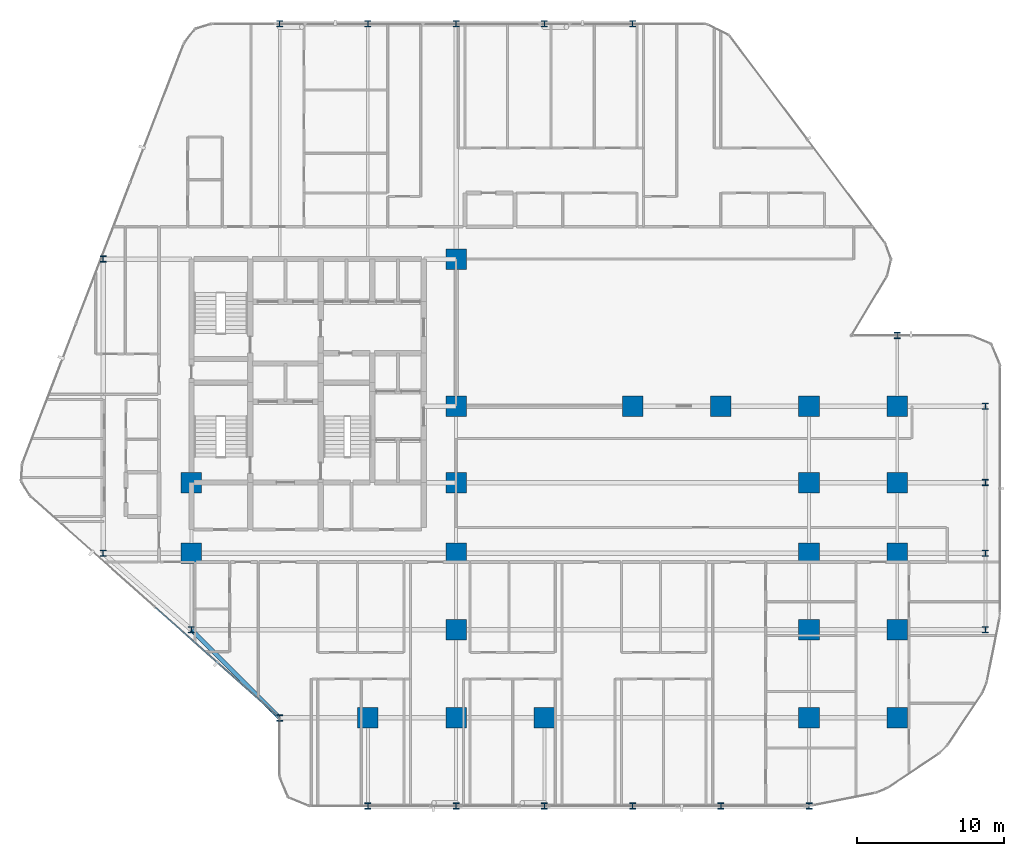
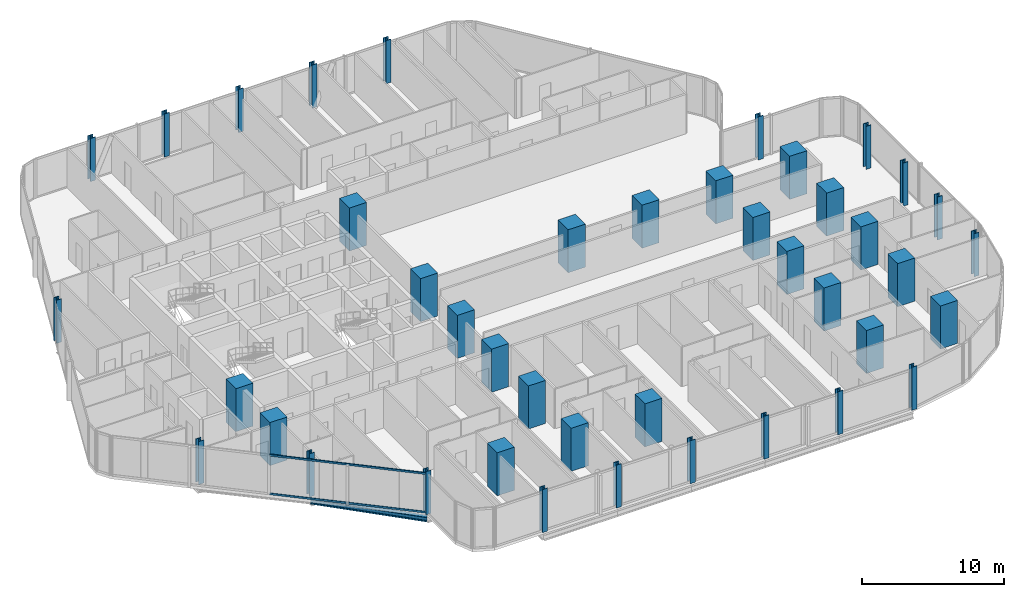
# One storey, part 1 of 34: 42 columns, 2 members, 1 beam, 1 element without a shape of its own.
"""IFC4 building model written with IfcOpenShell, lengths in metres."""

import ifcopenshell
import ifcopenshell.guid

model = None  # the IFC model being written
_history = None  # IfcOwnerHistory: only IFC2X3 demands one
_inside = {}  # id of a spatial element -> (the spatial element, [elements in it])
_under = {}  # id of a project, library or spatial element -> (it, [spatial elements below it])
_declared = {}  # id of a project -> (the project, [libraries it declares])
_typed = {}  # id of a type object -> (the type object, [elements of that type])
_made_of = {}  # id of a material, layer set ... -> (it, [elements and type objects made of it])


def new_model(schema):
    """Start an empty IFC model of exactly this schema.

    Asked for "IFC4X3", IfcOpenShell would pick the latest addendum, in which some entities
    have other attributes; the version numbers below select the first issue.
    IFC2X3 requires an IfcOwnerHistory on every rooted entity: one is made here for all.
    """
    global model, _history
    if schema == "IFC4X3":
        model = ifcopenshell.file(schema_version=(4, 3, 0, 0))
    else:
        model = ifcopenshell.file(schema=schema)
    _inside.clear()
    _under.clear()
    _declared.clear()
    _typed.clear()
    _made_of.clear()
    _history = None
    if model.schema == "IFC2X3":
        org = make("IfcOrganization", Name="unknown")
        user = make(
            "IfcPersonAndOrganization",
            ThePerson=make("IfcPerson", FamilyName="unknown"),
            TheOrganization=org,
        )
        app = make(
            "IfcApplication",
            ApplicationDeveloper=org,
            Version="unknown",
            ApplicationFullName="unknown",
            ApplicationIdentifier="unknown",
        )
        _history = make(
            "IfcOwnerHistory",
            OwningUser=user,
            OwningApplication=app,
            ChangeAction="ADDED",
            CreationDate=0,
        )
    return model


def make(cls, **values):
    """One entity of the class cls with the attributes given. An attribute that is None is left unset."""
    return model.create_entity(
        cls, **{name: value for name, value in values.items() if value is not None}
    )


def rooted(cls, **values):
    """An entity with a GlobalId (a new one), such as an element, a storey or a relation."""
    return make(cls, GlobalId=ifcopenshell.guid.new(), OwnerHistory=_history, **values)


def si_unit(unit_type, name, prefix=None):
    """IfcSIUnit, for example si_unit("LENGTHUNIT", "METRE", prefix="MILLI")."""
    return make("IfcSIUnit", UnitType=unit_type, Prefix=prefix, Name=name)


def assignment(units):
    """IfcUnitAssignment: the units of a project."""
    return None if units is None else make("IfcUnitAssignment", Units=units)


def point(xyz):
    """IfcCartesianPoint."""
    return None if xyz is None else make("IfcCartesianPoint", Coordinates=xyz)


def direction(xyz):
    """IfcDirection."""
    return None if xyz is None else make("IfcDirection", DirectionRatios=xyz)


def frame(location, z_axis=None, x_axis=None):
    """IfcAxis2Placement3D, a coordinate frame: its origin and axes. An axis left out is left unset."""
    return make(
        "IfcAxis2Placement3D",
        Location=point(location),
        Axis=direction(z_axis),
        RefDirection=direction(x_axis),
    )


def frame_2d(location, x_axis=None):
    """IfcAxis2Placement2D, a coordinate frame in the plane: its origin and x axis."""
    return make(
        "IfcAxis2Placement2D", Location=point(location), RefDirection=direction(x_axis)
    )


def origin():
    """The frame at (0, 0, 0) with its axes left unset."""
    return frame((0.0, 0.0, 0.0))


def origin_2d():
    """The frame at (0, 0) in the plane with its x axis left unset."""
    return frame_2d((0.0, 0.0))


def place(relative_to, where):
    """IfcLocalPlacement: puts the frame where relative to a parent placement (None: the world)."""
    return make(
        "IfcLocalPlacement", PlacementRelTo=relative_to, RelativePlacement=where
    )


def context(
    kind, dimensions, precision=None, world=None, true_north=None, identifier=None
):
    """IfcGeometricRepresentationContext, for example the 3D "Model" context."""
    return make(
        "IfcGeometricRepresentationContext",
        ContextIdentifier=identifier,
        ContextType=kind,
        CoordinateSpaceDimension=dimensions,
        Precision=precision,
        WorldCoordinateSystem=world,
        TrueNorth=true_north,
    )


def subcontext(parent, identifier, kind, view, scale=None):
    """IfcGeometricRepresentationSubContext, for example "Body" below "Model"."""
    return make(
        "IfcGeometricRepresentationSubContext",
        ContextIdentifier=identifier,
        ContextType=kind,
        ParentContext=parent,
        TargetScale=scale,
        TargetView=view,
    )


def project(units=None, contexts=None):
    """IfcProject with its units and contexts."""
    return rooted(
        "IfcProject",
        Name="project",
        RepresentationContexts=contexts,
        UnitsInContext=assignment(units),
    )


def spatial(cls, under=None, at=None, **own):
    """A site, building, storey or space (cls), placed at a placement, below another one or the project."""
    s = rooted(cls, ObjectPlacement=at, **own)
    if under is not None:
        _under.setdefault(under.id(), (under, []))[1].append(s)
    return s


def profile(cls, at=None, kind="AREA", **sizes):
    """A parametric profile (cls). Its sizes go by their IFC names, for example OverallWidth=200.0."""
    return make(cls, ProfileType=kind, Position=at, **sizes)


def rectangle(**sizes):
    """IfcRectangleProfileDef."""
    return profile("IfcRectangleProfileDef", **sizes)


def hollow_rectangle(**sizes):
    """IfcRectangleHollowProfileDef."""
    return profile("IfcRectangleHollowProfileDef", **sizes)


def i_section(**sizes):
    """IfcIShapeProfileDef."""
    return profile("IfcIShapeProfileDef", **sizes)


def extrude(swept, where, along, depth):
    """IfcExtrudedAreaSolid: the profile swept, set in the frame where, extruded along a direction by depth."""
    return make(
        "IfcExtrudedAreaSolid",
        SweptArea=swept,
        Position=where,
        ExtrudedDirection=direction(along),
        Depth=depth,
    )


def shape(context_of_items, identifier, shape_type, items):
    """IfcShapeRepresentation: the items that make up one representation, for example the "Body"."""
    return make(
        "IfcShapeRepresentation",
        ContextOfItems=context_of_items,
        RepresentationIdentifier=identifier,
        RepresentationType=shape_type,
        Items=items,
    )


def material(Name=None, Category=None):
    """IfcMaterial."""
    return make("IfcMaterial", Name=Name, Category=Category)


def layer(
    of_material, thickness, ventilated=None, Name=None, Category=None, Priority=None
):
    """IfcMaterialLayer: one layer of a wall or slab, of a material (None: an air gap)."""
    return make(
        "IfcMaterialLayer",
        Material=of_material,
        LayerThickness=thickness,
        IsVentilated=ventilated,
        Name=Name,
        Category=Category,
        Priority=Priority,
    )


def layer_set(layers, Name=None):
    """IfcMaterialLayerSet."""
    return make("IfcMaterialLayerSet", MaterialLayers=layers, LayerSetName=Name)


def material_profile(
    of_material, cross_section, Name=None, Category=None, Priority=None
):
    """IfcMaterialProfile: a cross section and its material."""
    return make(
        "IfcMaterialProfile",
        Name=Name,
        Material=of_material,
        Profile=cross_section,
        Priority=Priority,
        Category=Category,
    )


def profile_set(profiles, Name=None, composite=None):
    """IfcMaterialProfileSet."""
    return make(
        "IfcMaterialProfileSet",
        Name=Name,
        MaterialProfiles=profiles,
        CompositeProfile=composite,
    )


def made_of(thing, what):
    """Note that an element or type object is made of a material, layer set ...; save() writes the relation."""
    if what is not None:
        _made_of.setdefault(what.id(), (what, []))[1].append(thing)
    return thing


def type_object(cls, material=None, **own):
    """A type object (cls), such as IfcWallType, which elements share."""
    return made_of(rooted(cls, **own), material)


def element(
    cls,
    number,
    at=None,
    inside=None,
    cuts=None,
    type_object=None,
    material=None,
    context=None,
    identifier="Body",
    shape_type=None,
    held_by="IfcProductDefinitionShape",
    body=None,
    shapes=None,
    **own,
):
    """One element of the class cls, such as IfcWall. Its Tag is "e" and its number.

    at: its placement. inside: the storey or other place that contains it. cuts: it is an
    opening in that element (IfcRelVoidsElement). A single representation is given by context,
    identifier, shape_type and body (its items); several are given by shapes. held_by: the class
    of the entity that holds the representations. save() writes the other relations.
    """
    e = rooted(cls, Tag="e%d" % number, ObjectPlacement=at, **own)
    if body is not None:
        shapes = [shape(context, identifier, shape_type, body)]
    if shapes is not None:
        e.Representation = make(held_by, Representations=shapes)
    if inside is not None:
        _inside.setdefault(inside.id(), (inside, []))[1].append(e)
    if cuts is not None:
        rooted(
            "IfcRelVoidsElement", RelatingBuildingElement=cuts, RelatedOpeningElement=e
        )
    if type_object is not None:
        _typed.setdefault(type_object.id(), (type_object, []))[1].append(e)
    return made_of(e, material)


def aggregate(whole, parts):
    """IfcRelAggregates: a whole, such as a stair, and the parts it consists of."""
    return rooted("IfcRelAggregates", RelatingObject=whole, RelatedObjects=parts)


def save(model, path):
    """Write the relations noted so far, then the file.

    IfcRelAggregates (storeys below a building ...), IfcRelContainedInSpatialStructure (elements
    in a storey), IfcRelDefinesByType, IfcRelAssociatesMaterial and IfcRelDeclares: one each for
    every whole, place, type object, material and project.
    """
    for whole, parts in _under.values():
        aggregate(whole, parts)
    for where, things in _inside.values():
        rooted(
            "IfcRelContainedInSpatialStructure",
            RelatedElements=things,
            RelatingStructure=where,
        )
    for kind, things in _typed.values():
        rooted("IfcRelDefinesByType", RelatedObjects=things, RelatingType=kind)
    for what, things in _made_of.values():
        rooted("IfcRelAssociatesMaterial", RelatedObjects=things, RelatingMaterial=what)
    for by, libraries in _declared.values():
        rooted("IfcRelDeclares", RelatingContext=by, RelatedDefinitions=libraries)
    model.write(path)


model = new_model("IFC4")

# Units and contexts
model_context = context("Model", 3, precision=1e-05, world=origin(), true_north=direction((0.0, 1.0)))
body_context = subcontext(model_context, "Body", "Model", "MODEL_VIEW")
ifc_project = project(units=[si_unit("LENGTHUNIT", "METRE"), si_unit("AREAUNIT", "SQUARE_METRE"), si_unit("VOLUMEUNIT", "CUBIC_METRE"), si_unit("PLANEANGLEUNIT", "RADIAN"), si_unit("MASSUNIT", "GRAM", prefix="KILO")], contexts=[model_context])

# Site, building, storey
site_placement = place(None, origin())
site = spatial("IfcSite", under=ifc_project, at=site_placement, CompositionType="ELEMENT")
building_placement = place(site_placement, origin())
building = spatial("IfcBuilding", under=site, at=building_placement, Name="Keshet Zoharim Tower", CompositionType="ELEMENT")
storey_placement = place(building_placement, frame((0.0, 0.0, 31.39990234375)))
storey = spatial("IfcBuildingStorey", under=building, at=storey_placement, Name="L06", CompositionType="ELEMENT", Elevation=31.39990234375)

# Columns
ifc_material_1 = material(Name="Steel S355", Category="steel")
ifc_material_profile_1 = material_profile(ifc_material_1, i_section(OverallWidth=0.408935546875, OverallDepth=0.425048828125, WebThickness=0.031982421875, FlangeThickness=0.052490234375, FilletRadius=0.014892578125, at=origin_2d()), Name="HD400x421")
ifc_profile_set_1 = profile_set([ifc_material_profile_1], Name="Steel S355")
column_type_1 = type_object("IfcColumnType", Name="COL-HD421", PredefinedType="COLUMN", material=ifc_profile_set_1)
for number, where, z_axis, x_axis, name in (
    (1, (9.0, 17.89990234375, 0.0), (0.0, 0.0, 1.0), (1.0, 0.0, 0.0), "L06 Column 2D"),
    (2, (9.0, 37.89990234375, 0.0), (0.0, 0.0, 1.0), (1.0, 0.0, 0.0), "L06 Column 2H"),
    (3, (15.0, 12.699951171875, 0.0), (0.0, 0.0, 1.0), (1.0, 0.0, 0.0), "L06 Column 3C"),
    (4, (21.0, 6.699951171875, 0.0), (0.0, 0.0, 1.0), (1.0, 0.0, 0.0), "L06 Column 4B"),
    (5, (21.0, 53.89990234375, 0.0), (0.0, 0.0, 1.0), (1.0, 0.0, 0.0), "L06 Column 4L"),
    (6, (27.0, 0.699951171875, 0.0), (0.0, 0.0, 1.0), (1.0, 0.0, 0.0), "L06 Column 5A"),
    (7, (27.0, 53.89990234375, 0.0), (0.0, 0.0, 1.0), (1.0, 0.0, 0.0), "L06 Column 5L"),
    (8, (33.0, 0.699951171875, 0.0), (0.0, 0.0, 1.0), (1.0, 0.0, 0.0), "L06 Column 6A"),
    (9, (33.0, 53.89990234375, 0.0), (0.0, 0.0, 1.0), (1.0, 0.0, 0.0), "L06 Column 6L"),
    (10, (39.0, 0.699951171875, 0.0), (0.0, 0.0, 1.0), (1.0, 0.0, 0.0), "L06 Column 7A"),
    (11, (39.0, 53.89990234375, 0.0), (0.0, 0.0, 1.0), (1.0, 0.0, 0.0), "L06 Column 7L"),
    (12, (45.0, 0.699951171875, 0.0), (0.0, 0.0, 1.0), (1.0, 0.0, 0.0), "L06 Column 8A"),
    (13, (45.0, 53.89990234375, 0.0), (0.0, 0.0, 1.0), (1.0, 0.0, 0.0), "L06 Column 8L"),
    (14, (51.0, 0.699951171875, 0.0), (0.0, 0.0, 1.0), (1.0, 0.0, 0.0), "L06 Column 9A"),
    (15, (57.0, 0.699951171875, 0.0), (0.0, 0.0, 1.0), (1.0, 0.0, 0.0), "L06 Column 10A"),
    (16, (63.0, 32.699951171875, 0.0), (0.0, 0.0, 1.0), (1.0, 0.0, 0.0), "L06 Column 11G"),
    (17, (69.0, 12.699951171875, 0.0), (0.0, 0.0, 1.0), (1.0, 0.0, 0.0), "L06 Column 12C"),
    (18, (69.0, 17.89990234375, 0.0), (0.0, 0.0, 1.0), (1.0, 0.0, 0.0), "L06 Column 12D"),
    (19, (69.0, 22.699951171875, 0.0), (0.0, 0.0, 1.0), (1.0, 0.0, 0.0), "L06 Column 12E"),
    (20, (69.0, 27.89990234375, 0.0), (0.0, 0.0, 1.0), (1.0, 0.0, 0.0), "L06 Column 12F"),
):
    element("IfcColumn", number, at=place(storey_placement, frame(where, z_axis=z_axis, x_axis=x_axis)), inside=storey, type_object=column_type_1, Name=name, PredefinedType="COLUMN", context=body_context, shape_type="SweptSolid", body=[
        extrude(i_section(OverallWidth=0.408935546875, OverallDepth=0.425048828125, WebThickness=0.031982421875, FlangeThickness=0.052490234375, FilletRadius=0.014892578125, at=origin_2d()), origin(), (0.0, 0.0, 1.0), 3.7001953125),
    ])
ifc_material_2 = material(Name="Concrete C60/75", Category="concrete")
ifc_material_profile_2 = material_profile(ifc_material_2, rectangle(XDim=1.39990234375, YDim=1.39990234375, at=origin_2d()), Name="RC1400x1400")
ifc_profile_set_2 = profile_set([ifc_material_profile_2], Name="Concrete C60/75")
column_type_2 = type_object("IfcColumnType", Name="COL-RC1400", PredefinedType="COLUMN", material=ifc_profile_set_2)
for number, where, z_axis, x_axis, name in (
    (21, (15.0, 17.89990234375, 0.0), (0.0, 0.0, 1.0), (1.0, 0.0, 0.0), "L06 Column 3D"),
    (22, (15.0, 22.699951171875, 0.0), (0.0, 0.0, 1.0), (1.0, 0.0, 0.0), "L06 Column 3E"),
    (23, (27.0, 6.699951171875, 0.0), (0.0, 0.0, 1.0), (1.0, 0.0, 0.0), "L06 Column 5B"),
    (24, (33.0, 6.699951171875, 0.0), (0.0, 0.0, 1.0), (1.0, 0.0, 0.0), "L06 Column 6B"),
    (25, (33.0, 12.699951171875, 0.0), (0.0, 0.0, 1.0), (1.0, 0.0, 0.0), "L06 Column 6C"),
    (26, (33.0, 17.89990234375, 0.0), (0.0, 0.0, 1.0), (1.0, 0.0, 0.0), "L06 Column 6D"),
    (27, (33.0, 22.699951171875, 0.0), (0.0, 0.0, 1.0), (1.0, 0.0, 0.0), "L06 Column 6E"),
    (28, (33.0, 27.89990234375, 0.0), (0.0, 0.0, 1.0), (1.0, 0.0, 0.0), "L06 Column 6F"),
    (29, (33.0, 37.89990234375, 0.0), (0.0, 0.0, 1.0), (1.0, 0.0, 0.0), "L06 Column 6H"),
    (30, (39.0, 6.699951171875, 0.0), (0.0, 0.0, 1.0), (1.0, 0.0, 0.0), "L06 Column 7B"),
    (31, (45.0, 27.89990234375, 0.0), (0.0, 0.0, 1.0), (1.0, 0.0, 0.0), "L06 Column 8F"),
    (32, (51.0, 27.89990234375, 0.0), (0.0, 0.0, 1.0), (1.0, 0.0, 0.0), "L06 Column 9F"),
    (33, (57.0, 6.699951171875, 0.0), (0.0, 0.0, 1.0), (1.0, 0.0, 0.0), "L06 Column 10B"),
    (34, (57.0, 12.699951171875, 0.0), (0.0, 0.0, 1.0), (1.0, 0.0, 0.0), "L06 Column 10C"),
    (35, (57.0, 17.89990234375, 0.0), (0.0, 0.0, 1.0), (1.0, 0.0, 0.0), "L06 Column 10D"),
    (36, (57.0, 22.699951171875, 0.0), (0.0, 0.0, 1.0), (1.0, 0.0, 0.0), "L06 Column 10E"),
    (37, (57.0, 27.89990234375, 0.0), (0.0, 0.0, 1.0), (1.0, 0.0, 0.0), "L06 Column 10F"),
    (38, (63.0, 6.699951171875, 0.0), (0.0, 0.0, 1.0), (1.0, 0.0, 0.0), "L06 Column 11B"),
    (39, (63.0, 12.699951171875, 0.0), (0.0, 0.0, 1.0), (1.0, 0.0, 0.0), "L06 Column 11C"),
    (40, (63.0, 17.89990234375, 0.0), (0.0, 0.0, 1.0), (1.0, 0.0, 0.0), "L06 Column 11D"),
    (41, (63.0, 22.699951171875, 0.0), (0.0, 0.0, 1.0), (1.0, 0.0, 0.0), "L06 Column 11E"),
    (42, (63.0, 27.89990234375, 0.0), (0.0, 0.0, 1.0), (1.0, 0.0, 0.0), "L06 Column 11F"),
):
    element("IfcColumn", number, at=place(storey_placement, frame(where, z_axis=z_axis, x_axis=x_axis)), inside=storey, type_object=column_type_2, Name=name, PredefinedType="COLUMN", context=body_context, shape_type="SweptSolid", body=[
        extrude(rectangle(XDim=1.39990234375, YDim=1.39990234375, at=origin_2d()), origin(), (0.0, 0.0, 1.0), 3.7001953125),
    ])

# Beam
ifc_material_profile_3 = material_profile(ifc_material_1, i_section(OverallWidth=0.300048828125, OverallDepth=0.39990234375, WebThickness=0.013427734375, FlangeThickness=0.02392578125, FilletRadius=0.027099609375, at=origin_2d()), Name="HEB400")
ifc_profile_set_3 = profile_set([ifc_material_profile_3], Name="Steel S355")
beam_type = type_object("IfcBeamType", Name="BM-SPN-HB400", PredefinedType="SPANDREL", material=ifc_profile_set_3)
beam_placement = place(storey_placement, frame((21.0, 6.699951171875, -0.514892578125), z_axis=(-0.707106781187, 0.707106781187, 0.0), x_axis=(-0.707106781187, -0.707106781187, 0.0)))
element("IfcBeam", 43, at=beam_placement, inside=storey, type_object=beam_type, Name="L06 Perimeter Spandrel Beam 01", PredefinedType="SPANDREL", context=body_context, shape_type="SweptSolid", body=[
    extrude(i_section(OverallWidth=0.300048828125, OverallDepth=0.39990234375, WebThickness=0.013427734375, FlangeThickness=0.02392578125, FilletRadius=0.027099609375, at=origin_2d()), origin(), (0.0, 0.0, 1.0), 8.4853515625),
])

# Curtain wall, members
ifc_material_3 = material(Name="Aluminium 6063-T6", Category="aluminium")
ifc_layer = layer(ifc_material_3, 0.179931640625)
ifc_layer_set = layer_set([ifc_layer], Name="Aluminium 6063-T6")
curtain_wall_type = type_object("IfcCurtainWallType", Name="CW-SYS-01", PredefinedType="NOTDEFINED", material=ifc_layer_set)
curtain_wall_placement = place(storey_placement, origin())
curtain_wall = element("IfcCurtainWall", 44, at=curtain_wall_placement, inside=storey, type_object=curtain_wall_type, Name="L06 Unitised Curtain Wall 01", PredefinedType="NOTDEFINED")
ifc_material_profile_4 = material_profile(ifc_material_3, hollow_rectangle(XDim=0.0849609375, YDim=0.159912109375, WallThickness=0.00439453125, at=origin_2d()), Name="TRN-85x160")
ifc_profile_set_4 = profile_set([ifc_material_profile_4], Name="Aluminium 6063-T6")
member_type = type_object("IfcMemberType", Name="CWT-T16", PredefinedType="USERDEFINED", material=ifc_profile_set_4)
member_1_placement = place(storey_placement, frame((20.94775390625, 6.74658203125, 0.03515625), z_axis=(-0.747411714548, 0.664361143472, 0.0), x_axis=(-0.664361143472, -0.747411714548, 0.0)))
member_1 = element("IfcMember", 45, at=member_1_placement, type_object=member_type, Name="CW-01 transom 1.1", ObjectType="TRANSOM", PredefinedType="USERDEFINED", context=body_context, shape_type="SweptSolid", body=[
    extrude(hollow_rectangle(XDim=0.0849609375, YDim=0.159912109375, WallThickness=0.00439453125, at=origin_2d()), origin(), (0.0, 0.0, 1.0), 11.244140625),
])
member_2_placement = place(storey_placement, frame((20.94775390625, 6.74658203125, 3.35009765625), z_axis=(-0.747411714548, 0.664361143472, 0.0), x_axis=(-0.664361143472, -0.747411714548, 0.0)))
member_2 = element("IfcMember", 46, at=member_2_placement, type_object=member_type, Name="CW-01 transom 1.2", ObjectType="TRANSOM", PredefinedType="USERDEFINED", context=body_context, shape_type="SweptSolid", body=[
    extrude(hollow_rectangle(XDim=0.0849609375, YDim=0.159912109375, WallThickness=0.00439453125, at=origin_2d()), origin(), (0.0, 0.0, 1.0), 11.244140625),
])
aggregate(curtain_wall, [member_1, member_2])

save(model, "model.ifc")
